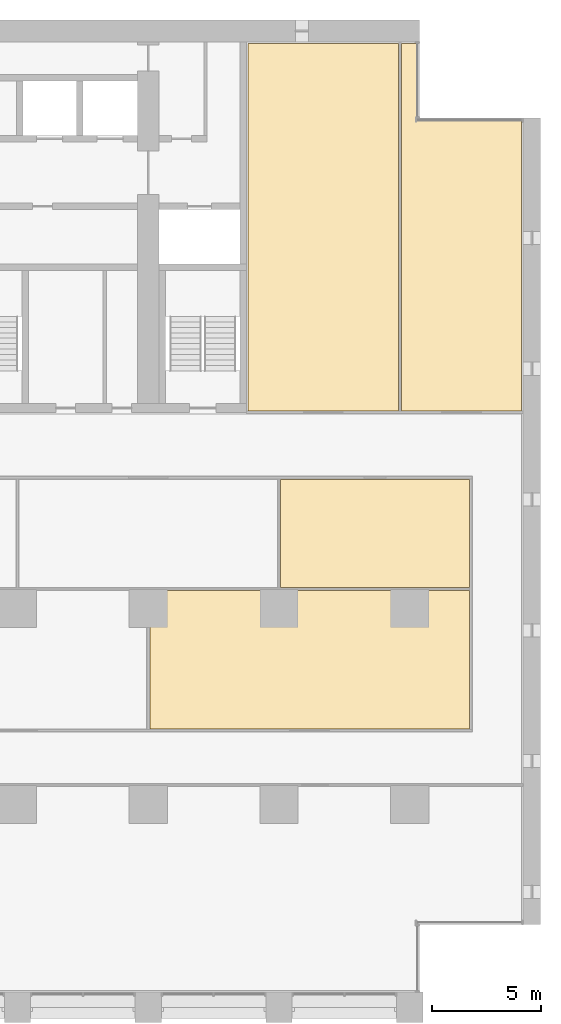
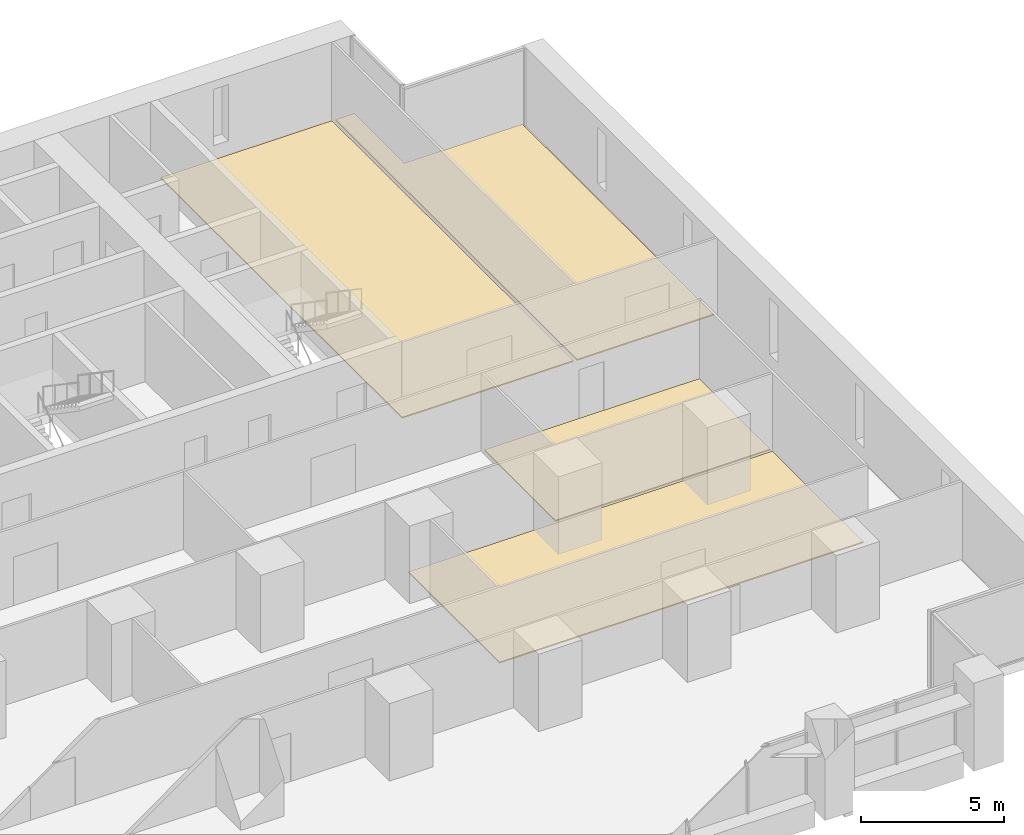
# One storey, part 18 of 18: 4 coverings.
"""IFC4 building model written with IfcOpenShell, lengths in metres."""

from ifc_helpers import new_model, si_unit, direction, frame, origin, place, context, subcontext, project, spatial, polyline, outline, extrude, material, layer, layer_set, type_object, element, save


model = new_model("IFC4")

# Units and contexts
model_context = context("Model", 3, precision=1e-05, world=origin(), true_north=direction((0.0, 1.0)))
body_context = subcontext(model_context, "Body", "Model", "MODEL_VIEW")
ifc_project = project(units=[si_unit("LENGTHUNIT", "METRE"), si_unit("AREAUNIT", "SQUARE_METRE"), si_unit("VOLUMEUNIT", "CUBIC_METRE"), si_unit("PLANEANGLEUNIT", "RADIAN"), si_unit("MASSUNIT", "GRAM", prefix="KILO")], contexts=[model_context])

# Site, building, storey
site_placement = place(None, origin())
site = spatial("IfcSite", under=ifc_project, at=site_placement, CompositionType="ELEMENT")
building_placement = place(site_placement, origin())
building = spatial("IfcBuilding", under=site, at=building_placement, Name="Calvaro Tower", CompositionType="ELEMENT")
storey_placement = place(building_placement, frame((0.0, 0.0, 37.5)))
storey = spatial("IfcBuildingStorey", under=building, at=storey_placement, Name="L08", CompositionType="ELEMENT", Elevation=37.5)

# Coverings
ifc_material = material(Name="Cement screed with carpet tile finish")
ifc_layer = layer(ifc_material, 0.050048828125)
ifc_layer_set = layer_set([ifc_layer], Name="Cement screed with carpet tile finish")
covering_type = type_object("IfcCoveringType", Name="Floor finish 50", PredefinedType="FLOORING", material=ifc_layer_set)
covering_1_placement = place(storey_placement, origin())
element("IfcCovering", 1, at=covering_1_placement, inside=storey, type_object=covering_type, Name="Floor finish 09.05", PredefinedType="FLOORING", context=body_context, shape_type="SweptSolid", body=[
    extrude(outline(polyline([(60.070068359375, 13.469970703125), (60.070068359375, 19.830078125), (74.72998046875, 19.830078125), (74.72998046875, 13.469970703125), (60.070068359375, 13.469970703125)])), origin(), (0.0, 0.0, 1.0), 0.050048828125),
])
covering_2_placement = place(storey_placement, origin())
element("IfcCovering", 2, at=covering_2_placement, inside=storey, type_object=covering_type, Name="Floor finish 09.11", PredefinedType="FLOORING", context=body_context, shape_type="SweptSolid", body=[
    extrude(outline(polyline([(66.070068359375, 19.969970703125), (66.070068359375, 24.929931640625), (74.72998046875, 24.929931640625), (74.72998046875, 19.969970703125), (66.070068359375, 19.969970703125)])), origin(), (0.0, 0.0, 1.0), 0.050048828125),
])
covering_3_placement = place(storey_placement, origin())
element("IfcCovering", 3, at=covering_3_placement, inside=storey, type_object=covering_type, Name="Floor finish 09.19", PredefinedType="FLOORING", context=body_context, shape_type="SweptSolid", body=[
    extrude(outline(polyline([(71.47998046875, 28.070068359375), (64.570068359375, 28.070068359375), (64.570068359375, 44.929931640625), (71.47998046875, 44.929931640625), (71.47998046875, 28.070068359375)])), origin(), (0.0, 0.0, 1.0), 0.050048828125),
])
covering_4_placement = place(storey_placement, origin())
element("IfcCovering", 4, at=covering_4_placement, inside=storey, type_object=covering_type, Name="Floor finish 09.17", PredefinedType="FLOORING", context=body_context, shape_type="SweptSolid", body=[
    extrude(outline(polyline([(77.1298828125, 28.070068359375), (71.6201171875, 28.070068359375), (71.6201171875, 44.929931640625), (72.3798828125, 44.929931640625), (72.3798828125, 41.429931640625), (77.1298828125, 41.429931640625), (77.1298828125, 28.070068359375)])), origin(), (0.0, 0.0, 1.0), 0.050048828125),
])

save(model, "model.ifc")
